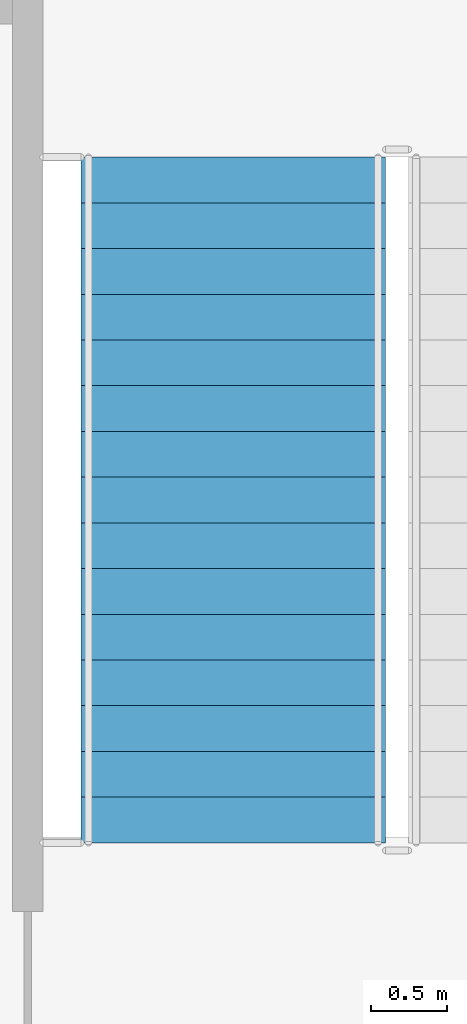
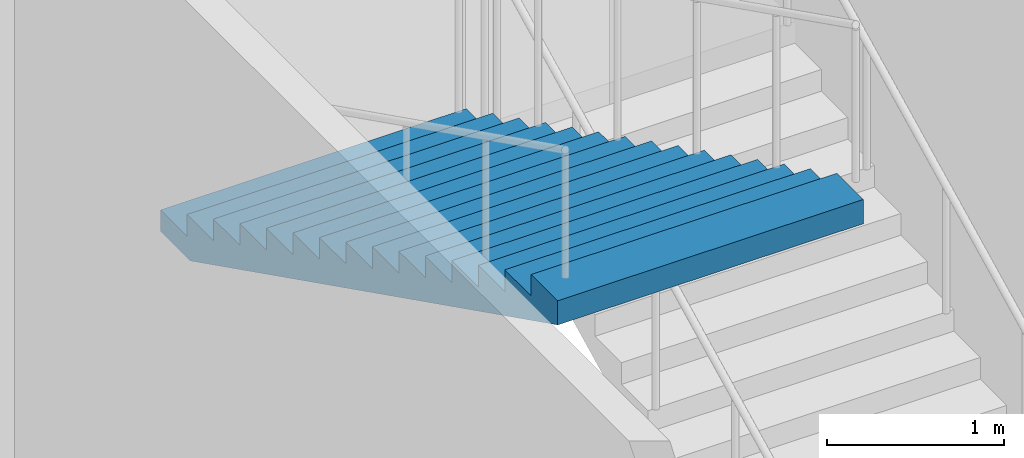
# One storey, part 44 of 91: 1 stair flight, 1 element without a shape of its own.
"""IFC4 building model written with IfcOpenShell, lengths in metres."""

from ifc_helpers import new_model, si_unit, direction, frame, origin, place, context, subcontext, project, spatial, faceted_brep, material, type_object, element, aggregate, save


model = new_model("IFC4")

# Units and contexts
model_context = context("Model", 3, precision=1e-05, world=origin(), true_north=direction((0.0, 1.0)))
body_context = subcontext(model_context, "Body", "Model", "MODEL_VIEW")
ifc_project = project(units=[si_unit("LENGTHUNIT", "METRE"), si_unit("AREAUNIT", "SQUARE_METRE"), si_unit("VOLUMEUNIT", "CUBIC_METRE"), si_unit("PLANEANGLEUNIT", "RADIAN"), si_unit("MASSUNIT", "GRAM", prefix="KILO")], contexts=[model_context])

# Site, building, storey
site_placement = place(None, origin())
site = spatial("IfcSite", under=ifc_project, at=site_placement, CompositionType="ELEMENT")
building_placement = place(site_placement, origin())
building = spatial("IfcBuilding", under=site, at=building_placement, Name="Kiln Court Media Centre", CompositionType="ELEMENT")
storey_placement = place(building_placement, frame((0.0, 0.0, 5.39990234375)))
storey = spatial("IfcBuildingStorey", under=building, at=storey_placement, Name="L01", CompositionType="ELEMENT", Elevation=5.39990234375)

# Stair, stair flight
ifc_material_1 = material(Name="Concrete C40/50", Category="concrete")
stair_type = type_object("IfcStairType", Name="Concrete C40/50 dog-leg stair 2000 wide, 150 riser", PredefinedType="HALF_TURN_STAIR", material=ifc_material_1)
stair_placement = place(storey_placement, origin())
stair = element("IfcStair", 1, at=stair_placement, inside=storey, type_object=stair_type, Name="ST-09 L01", PredefinedType="HALF_TURN_STAIR")
ifc_material_2 = material(Name="Concrete C40/50", Category="concrete")
stair_flight_type = type_object("IfcStairFlightType", Name="Concrete C40/50 stair flight 2000 wide, 150 riser, 300 going", PredefinedType="STRAIGHT", material=ifc_material_2)
stair_flight_placement = place(storey_placement, frame((63.85009765625, 32.5, 2.400146484375), z_axis=(0.0, 0.0, 1.0), x_axis=(0.0, -1.0, 0.0)))
stair_flight = element("IfcStairFlight", 2, at=stair_flight_placement, type_object=stair_flight_type, Name="L01-ST-5008 flight 5017", NumberOfRisers=16, NumberOfTreads=15, PredefinedType="STRAIGHT", RiserHeight=0.15, TreadLength=0.3, context=body_context, shape_type="Brep", body=[
    faceted_brep([(0.335205078125, -1.0, 0.0), (4.5, -1.0, 2.08251953125), (4.5, -1.0, 2.25), (4.199951171875, -1.0, 2.25), (4.199951171875, -1.0, 2.10009765625), (3.89990234375, -1.0, 2.10009765625), (3.89990234375, -1.0, 1.949951171875), (3.60009765625, -1.0, 1.949951171875), (3.60009765625, -1.0, 1.800048828125), (3.300048828125, -1.0, 1.800048828125), (3.300048828125, -1.0, 1.64990234375), (3.0, -1.0, 1.64990234375), (3.0, -1.0, 1.5), (2.699951171875, -1.0, 1.5), (2.699951171875, -1.0, 1.35009765625), (2.39990234375, -1.0, 1.35009765625), (2.39990234375, -1.0, 1.199951171875), (2.10009765625, -1.0, 1.199951171875), (2.10009765625, -1.0, 1.050048828125), (1.800048828125, -1.0, 1.050048828125), (1.800048828125, -1.0, 0.89990234375), (1.5, -1.0, 0.89990234375), (1.5, -1.0, 0.75), (1.199951171875, -1.0, 0.75), (1.199951171875, -1.0, 0.60009765625), (0.89990234375, -1.0, 0.60009765625), (0.89990234375, -1.0, 0.449951171875), (0.60009765625, -1.0, 0.449951171875), (0.60009765625, -1.0, 0.300048828125), (0.300048828125, -1.0, 0.300048828125), (0.300048828125, -1.0, 0.14990234375), (0.0, -1.0, 0.14990234375), (0.0, -1.0, 0.0), (0.0, 1.0, 0.0), (0.0, 1.0, 0.14990234375), (0.300048828125, 1.0, 0.14990234375), (0.300048828125, 1.0, 0.300048828125), (0.60009765625, 1.0, 0.300048828125), (0.60009765625, 1.0, 0.449951171875), (0.89990234375, 1.0, 0.449951171875), (0.89990234375, 1.0, 0.60009765625), (1.199951171875, 1.0, 0.60009765625), (1.199951171875, 1.0, 0.75), (1.5, 1.0, 0.75), (1.5, 1.0, 0.89990234375), (1.800048828125, 1.0, 0.89990234375), (1.800048828125, 1.0, 1.050048828125), (2.10009765625, 1.0, 1.050048828125), (2.10009765625, 1.0, 1.199951171875), (2.39990234375, 1.0, 1.199951171875), (2.39990234375, 1.0, 1.35009765625), (2.699951171875, 1.0, 1.35009765625), (2.699951171875, 1.0, 1.5), (3.0, 1.0, 1.5), (3.0, 1.0, 1.64990234375), (3.300048828125, 1.0, 1.64990234375), (3.300048828125, 1.0, 1.800048828125), (3.60009765625, 1.0, 1.800048828125), (3.60009765625, 1.0, 1.949951171875), (3.89990234375, 1.0, 1.949951171875), (3.89990234375, 1.0, 2.10009765625), (4.199951171875, 1.0, 2.10009765625), (4.199951171875, 1.0, 2.25), (4.5, 1.0, 2.25), (4.5, 1.0, 2.08251953125), (0.335205078125, 1.0, 0.0), (4.5, 0.10009765625, 2.08251953125), (0.335205078125, 0.10009765625, 0.0), (4.5, 0.080078125, 2.08251953125), (0.335205078125, 0.080078125, 0.0), (4.5, 0.06005859375, 2.08251953125), (0.335205078125, 0.06005859375, 0.0), (4.5, 0.0400390625, 2.08251953125), (0.335205078125, 0.0400390625, 0.0), (4.5, 0.02001953125, 2.08251953125), (0.335205078125, 0.02001953125, 0.0), (4.5, 0.0, 2.08251953125), (0.335205078125, 0.0, 0.0), (4.5, -0.02001953125, 2.08251953125), (0.335205078125, -0.02001953125, 0.0), (4.5, -0.0400390625, 2.08251953125), (0.335205078125, -0.0400390625, 0.0), (4.5, -0.06005859375, 2.08251953125), (0.335205078125, -0.06005859375, 0.0), (4.5, -0.080078125, 2.08251953125), (0.335205078125, -0.080078125, 0.0), (4.5, -0.10009765625, 2.08251953125), (0.335205078125, -0.10009765625, 0.0), (4.5, 0.10009765625, 2.25), (4.5, 0.080078125, 2.25), (4.5, 0.06005859375, 2.25), (4.5, 0.0400390625, 2.25), (4.5, 0.02001953125, 2.25), (4.5, 0.0, 2.25), (4.5, -0.02001953125, 2.25), (4.5, -0.0400390625, 2.25), (4.5, -0.06005859375, 2.25), (4.5, -0.080078125, 2.25), (4.5, -0.10009765625, 2.25), (4.199951171875, 0.10009765625, 2.25), (4.199951171875, 0.080078125, 2.25), (4.199951171875, 0.06005859375, 2.25), (4.199951171875, 0.0400390625, 2.25), (4.199951171875, 0.02001953125, 2.25), (4.199951171875, 0.0, 2.25), (4.199951171875, -0.02001953125, 2.25), (4.199951171875, -0.0400390625, 2.25), (4.199951171875, -0.06005859375, 2.25), (4.199951171875, -0.080078125, 2.25), (4.199951171875, -0.10009765625, 2.25), (4.199951171875, 0.10009765625, 2.10009765625), (4.199951171875, 0.080078125, 2.10009765625), (4.199951171875, 0.06005859375, 2.10009765625), (4.199951171875, 0.0400390625, 2.10009765625), (4.199951171875, 0.02001953125, 2.10009765625), (4.199951171875, 0.0, 2.10009765625), (4.199951171875, -0.02001953125, 2.10009765625), (4.199951171875, -0.0400390625, 2.10009765625), (4.199951171875, -0.06005859375, 2.10009765625), (4.199951171875, -0.080078125, 2.10009765625), (4.199951171875, -0.10009765625, 2.10009765625), (3.89990234375, 0.10009765625, 2.10009765625), (3.89990234375, 0.080078125, 2.10009765625), (3.89990234375, 0.06005859375, 2.10009765625), (3.89990234375, 0.0400390625, 2.10009765625), (3.89990234375, 0.02001953125, 2.10009765625), (3.89990234375, 0.0, 2.10009765625), (3.89990234375, -0.02001953125, 2.10009765625), (3.89990234375, -0.0400390625, 2.10009765625), (3.89990234375, -0.06005859375, 2.10009765625), (3.89990234375, -0.080078125, 2.10009765625), (3.89990234375, -0.10009765625, 2.10009765625), (3.89990234375, 0.10009765625, 1.949951171875), (3.89990234375, 0.080078125, 1.949951171875), (3.89990234375, 0.06005859375, 1.949951171875), (3.89990234375, 0.0400390625, 1.949951171875), (3.89990234375, 0.02001953125, 1.949951171875), (3.89990234375, 0.0, 1.949951171875), (3.89990234375, -0.02001953125, 1.949951171875), (3.89990234375, -0.0400390625, 1.949951171875), (3.89990234375, -0.06005859375, 1.949951171875), (3.89990234375, -0.080078125, 1.949951171875), (3.89990234375, -0.10009765625, 1.949951171875), (3.60009765625, 0.10009765625, 1.949951171875), (3.60009765625, 0.080078125, 1.949951171875), (3.60009765625, 0.06005859375, 1.949951171875), (3.60009765625, 0.0400390625, 1.949951171875), (3.60009765625, 0.02001953125, 1.949951171875), (3.60009765625, 0.0, 1.949951171875), (3.60009765625, -0.02001953125, 1.949951171875), (3.60009765625, -0.0400390625, 1.949951171875), (3.60009765625, -0.06005859375, 1.949951171875), (3.60009765625, -0.080078125, 1.949951171875), (3.60009765625, -0.10009765625, 1.949951171875), (3.60009765625, 0.10009765625, 1.800048828125), (3.60009765625, 0.080078125, 1.800048828125), (3.60009765625, 0.06005859375, 1.800048828125), (3.60009765625, 0.0400390625, 1.800048828125), (3.60009765625, 0.02001953125, 1.800048828125), (3.60009765625, 0.0, 1.800048828125), (3.60009765625, -0.02001953125, 1.800048828125), (3.60009765625, -0.0400390625, 1.800048828125), (3.60009765625, -0.06005859375, 1.800048828125), (3.60009765625, -0.080078125, 1.800048828125), (3.60009765625, -0.10009765625, 1.800048828125), (3.300048828125, 0.10009765625, 1.800048828125), (3.300048828125, 0.080078125, 1.800048828125), (3.300048828125, 0.06005859375, 1.800048828125), (3.300048828125, 0.0400390625, 1.800048828125), (3.300048828125, 0.02001953125, 1.800048828125), (3.300048828125, 0.0, 1.800048828125), (3.300048828125, -0.02001953125, 1.800048828125), (3.300048828125, -0.0400390625, 1.800048828125), (3.300048828125, -0.06005859375, 1.800048828125), (3.300048828125, -0.080078125, 1.800048828125), (3.300048828125, -0.10009765625, 1.800048828125), (3.300048828125, 0.10009765625, 1.64990234375), (3.300048828125, 0.080078125, 1.64990234375), (3.300048828125, 0.06005859375, 1.64990234375), (3.300048828125, 0.0400390625, 1.64990234375), (3.300048828125, 0.02001953125, 1.64990234375), (3.300048828125, 0.0, 1.64990234375), (3.300048828125, -0.02001953125, 1.64990234375), (3.300048828125, -0.0400390625, 1.64990234375), (3.300048828125, -0.06005859375, 1.64990234375), (3.300048828125, -0.080078125, 1.64990234375), (3.300048828125, -0.10009765625, 1.64990234375), (3.0, 0.10009765625, 1.64990234375), (3.0, 0.080078125, 1.64990234375), (3.0, 0.06005859375, 1.64990234375), (3.0, 0.0400390625, 1.64990234375), (3.0, 0.02001953125, 1.64990234375), (3.0, 0.0, 1.64990234375), (3.0, -0.02001953125, 1.64990234375), (3.0, -0.0400390625, 1.64990234375), (3.0, -0.06005859375, 1.64990234375), (3.0, -0.080078125, 1.64990234375), (3.0, -0.10009765625, 1.64990234375), (3.0, 0.10009765625, 1.5), (3.0, 0.080078125, 1.5), (3.0, 0.06005859375, 1.5), (3.0, 0.0400390625, 1.5), (3.0, 0.02001953125, 1.5), (3.0, 0.0, 1.5), (3.0, -0.02001953125, 1.5), (3.0, -0.0400390625, 1.5), (3.0, -0.06005859375, 1.5), (3.0, -0.080078125, 1.5), (3.0, -0.10009765625, 1.5), (2.699951171875, 0.10009765625, 1.5), (2.699951171875, 0.080078125, 1.5), (2.699951171875, 0.06005859375, 1.5), (2.699951171875, 0.0400390625, 1.5), (2.699951171875, 0.02001953125, 1.5), (2.699951171875, 0.0, 1.5), (2.699951171875, -0.02001953125, 1.5), (2.699951171875, -0.0400390625, 1.5), (2.699951171875, -0.06005859375, 1.5), (2.699951171875, -0.080078125, 1.5), (2.699951171875, -0.10009765625, 1.5), (2.699951171875, 0.10009765625, 1.35009765625), (2.699951171875, 0.080078125, 1.35009765625), (2.699951171875, 0.06005859375, 1.35009765625), (2.699951171875, 0.0400390625, 1.35009765625), (2.699951171875, 0.02001953125, 1.35009765625), (2.699951171875, 0.0, 1.35009765625), (2.699951171875, -0.02001953125, 1.35009765625), (2.699951171875, -0.0400390625, 1.35009765625), (2.699951171875, -0.06005859375, 1.35009765625), (2.699951171875, -0.080078125, 1.35009765625), (2.699951171875, -0.10009765625, 1.35009765625), (2.39990234375, 0.10009765625, 1.35009765625), (2.39990234375, 0.080078125, 1.35009765625), (2.39990234375, 0.06005859375, 1.35009765625), (2.39990234375, 0.0400390625, 1.35009765625), (2.39990234375, 0.02001953125, 1.35009765625), (2.39990234375, 0.0, 1.35009765625), (2.39990234375, -0.02001953125, 1.35009765625), (2.39990234375, -0.0400390625, 1.35009765625), (2.39990234375, -0.06005859375, 1.35009765625), (2.39990234375, -0.080078125, 1.35009765625), (2.39990234375, -0.10009765625, 1.35009765625), (2.39990234375, 0.10009765625, 1.199951171875), (2.39990234375, 0.080078125, 1.199951171875), (2.39990234375, 0.06005859375, 1.199951171875), (2.39990234375, 0.0400390625, 1.199951171875), (2.39990234375, 0.02001953125, 1.199951171875), (2.39990234375, 0.0, 1.199951171875), (2.39990234375, -0.02001953125, 1.199951171875), (2.39990234375, -0.0400390625, 1.199951171875), (2.39990234375, -0.06005859375, 1.199951171875), (2.39990234375, -0.080078125, 1.199951171875), (2.39990234375, -0.10009765625, 1.199951171875), (2.10009765625, 0.10009765625, 1.199951171875), (2.10009765625, 0.080078125, 1.199951171875), (2.10009765625, 0.06005859375, 1.199951171875), (2.10009765625, 0.0400390625, 1.199951171875), (2.10009765625, 0.02001953125, 1.199951171875), (2.10009765625, 0.0, 1.199951171875), (2.10009765625, -0.02001953125, 1.199951171875), (2.10009765625, -0.0400390625, 1.199951171875), (2.10009765625, -0.06005859375, 1.199951171875), (2.10009765625, -0.080078125, 1.199951171875), (2.10009765625, -0.10009765625, 1.199951171875), (2.10009765625, 0.10009765625, 1.050048828125), (2.10009765625, 0.080078125, 1.050048828125), (2.10009765625, 0.06005859375, 1.050048828125), (2.10009765625, 0.0400390625, 1.050048828125), (2.10009765625, 0.02001953125, 1.050048828125), (2.10009765625, 0.0, 1.050048828125), (2.10009765625, -0.02001953125, 1.050048828125), (2.10009765625, -0.0400390625, 1.050048828125), (2.10009765625, -0.06005859375, 1.050048828125), (2.10009765625, -0.080078125, 1.050048828125), (2.10009765625, -0.10009765625, 1.050048828125), (1.800048828125, 0.10009765625, 1.050048828125), (1.800048828125, 0.080078125, 1.050048828125), (1.800048828125, 0.06005859375, 1.050048828125), (1.800048828125, 0.0400390625, 1.050048828125), (1.800048828125, 0.02001953125, 1.050048828125), (1.800048828125, 0.0, 1.050048828125), (1.800048828125, -0.02001953125, 1.050048828125), (1.800048828125, -0.0400390625, 1.050048828125), (1.800048828125, -0.06005859375, 1.050048828125), (1.800048828125, -0.080078125, 1.050048828125), (1.800048828125, -0.10009765625, 1.050048828125), (1.800048828125, 0.10009765625, 0.89990234375), (1.800048828125, 0.080078125, 0.89990234375), (1.800048828125, 0.06005859375, 0.89990234375), (1.800048828125, 0.0400390625, 0.89990234375), (1.800048828125, 0.02001953125, 0.89990234375), (1.800048828125, 0.0, 0.89990234375), (1.800048828125, -0.02001953125, 0.89990234375), (1.800048828125, -0.0400390625, 0.89990234375), (1.800048828125, -0.06005859375, 0.89990234375), (1.800048828125, -0.080078125, 0.89990234375), (1.800048828125, -0.10009765625, 0.89990234375), (1.5, 0.10009765625, 0.89990234375), (1.5, 0.080078125, 0.89990234375), (1.5, 0.06005859375, 0.89990234375), (1.5, 0.0400390625, 0.89990234375), (1.5, 0.02001953125, 0.89990234375), (1.5, 0.0, 0.89990234375), (1.5, -0.02001953125, 0.89990234375), (1.5, -0.0400390625, 0.89990234375), (1.5, -0.06005859375, 0.89990234375), (1.5, -0.080078125, 0.89990234375), (1.5, -0.10009765625, 0.89990234375), (1.5, 0.10009765625, 0.75), (1.5, 0.080078125, 0.75), (1.5, 0.06005859375, 0.75), (1.5, 0.0400390625, 0.75), (1.5, 0.02001953125, 0.75), (1.5, 0.0, 0.75), (1.5, -0.02001953125, 0.75), (1.5, -0.0400390625, 0.75), (1.5, -0.06005859375, 0.75), (1.5, -0.080078125, 0.75), (1.5, -0.10009765625, 0.75), (1.199951171875, 0.10009765625, 0.75), (1.199951171875, 0.080078125, 0.75), (1.199951171875, 0.06005859375, 0.75), (1.199951171875, 0.0400390625, 0.75), (1.199951171875, 0.02001953125, 0.75), (1.199951171875, 0.0, 0.75), (1.199951171875, -0.02001953125, 0.75), (1.199951171875, -0.0400390625, 0.75), (1.199951171875, -0.06005859375, 0.75), (1.199951171875, -0.080078125, 0.75), (1.199951171875, -0.10009765625, 0.75), (1.199951171875, 0.10009765625, 0.60009765625), (1.199951171875, 0.080078125, 0.60009765625), (1.199951171875, 0.06005859375, 0.60009765625), (1.199951171875, 0.0400390625, 0.60009765625), (1.199951171875, 0.02001953125, 0.60009765625), (1.199951171875, 0.0, 0.60009765625), (1.199951171875, -0.02001953125, 0.60009765625), (1.199951171875, -0.0400390625, 0.60009765625), (1.199951171875, -0.06005859375, 0.60009765625), (1.199951171875, -0.080078125, 0.60009765625), (1.199951171875, -0.10009765625, 0.60009765625), (0.89990234375, 0.10009765625, 0.60009765625), (0.89990234375, 0.080078125, 0.60009765625), (0.89990234375, 0.06005859375, 0.60009765625), (0.89990234375, 0.0400390625, 0.60009765625), (0.89990234375, 0.02001953125, 0.60009765625), (0.89990234375, 0.0, 0.60009765625), (0.89990234375, -0.02001953125, 0.60009765625), (0.89990234375, -0.0400390625, 0.60009765625), (0.89990234375, -0.06005859375, 0.60009765625), (0.89990234375, -0.080078125, 0.60009765625), (0.89990234375, -0.10009765625, 0.60009765625), (0.89990234375, 0.10009765625, 0.449951171875), (0.89990234375, 0.080078125, 0.449951171875), (0.89990234375, 0.06005859375, 0.449951171875), (0.89990234375, 0.0400390625, 0.449951171875), (0.89990234375, 0.02001953125, 0.449951171875), (0.89990234375, 0.0, 0.449951171875), (0.89990234375, -0.02001953125, 0.449951171875), (0.89990234375, -0.0400390625, 0.449951171875), (0.89990234375, -0.06005859375, 0.449951171875), (0.89990234375, -0.080078125, 0.449951171875), (0.89990234375, -0.10009765625, 0.449951171875), (0.60009765625, 0.10009765625, 0.449951171875), (0.60009765625, 0.080078125, 0.449951171875), (0.60009765625, 0.06005859375, 0.449951171875), (0.60009765625, 0.0400390625, 0.449951171875), (0.60009765625, 0.02001953125, 0.449951171875), (0.60009765625, 0.0, 0.449951171875), (0.60009765625, -0.02001953125, 0.449951171875), (0.60009765625, -0.0400390625, 0.449951171875), (0.60009765625, -0.06005859375, 0.449951171875), (0.60009765625, -0.080078125, 0.449951171875), (0.60009765625, -0.10009765625, 0.449951171875), (0.60009765625, 0.10009765625, 0.300048828125), (0.60009765625, 0.080078125, 0.300048828125), (0.60009765625, 0.06005859375, 0.300048828125), (0.60009765625, 0.0400390625, 0.300048828125), (0.60009765625, 0.02001953125, 0.300048828125), (0.60009765625, 0.0, 0.300048828125), (0.60009765625, -0.02001953125, 0.300048828125), (0.60009765625, -0.0400390625, 0.300048828125), (0.60009765625, -0.06005859375, 0.300048828125), (0.60009765625, -0.080078125, 0.300048828125), (0.60009765625, -0.10009765625, 0.300048828125), (0.300048828125, 0.10009765625, 0.300048828125), (0.300048828125, 0.080078125, 0.300048828125), (0.300048828125, 0.06005859375, 0.300048828125), (0.300048828125, 0.0400390625, 0.300048828125), (0.300048828125, 0.02001953125, 0.300048828125), (0.300048828125, 0.0, 0.300048828125), (0.300048828125, -0.02001953125, 0.300048828125), (0.300048828125, -0.0400390625, 0.300048828125), (0.300048828125, -0.06005859375, 0.300048828125), (0.300048828125, -0.080078125, 0.300048828125), (0.300048828125, -0.10009765625, 0.300048828125), (0.300048828125, 0.10009765625, 0.14990234375), (0.300048828125, 0.080078125, 0.14990234375), (0.300048828125, 0.06005859375, 0.14990234375), (0.300048828125, 0.0400390625, 0.14990234375), (0.300048828125, 0.02001953125, 0.14990234375), (0.300048828125, 0.0, 0.14990234375), (0.300048828125, -0.02001953125, 0.14990234375), (0.300048828125, -0.0400390625, 0.14990234375), (0.300048828125, -0.06005859375, 0.14990234375), (0.300048828125, -0.080078125, 0.14990234375), (0.300048828125, -0.10009765625, 0.14990234375), (0.0, 0.10009765625, 0.14990234375), (0.0, 0.080078125, 0.14990234375), (0.0, 0.06005859375, 0.14990234375), (0.0, 0.0400390625, 0.14990234375), (0.0, 0.02001953125, 0.14990234375), (0.0, 0.0, 0.14990234375), (0.0, -0.02001953125, 0.14990234375), (0.0, -0.0400390625, 0.14990234375), (0.0, -0.06005859375, 0.14990234375), (0.0, -0.080078125, 0.14990234375), (0.0, -0.10009765625, 0.14990234375), (0.0, 0.10009765625, 0.0), (0.0, 0.080078125, 0.0), (0.0, 0.06005859375, 0.0), (0.0, 0.0400390625, 0.0), (0.0, 0.02001953125, 0.0), (0.0, 0.0, 0.0), (0.0, -0.02001953125, 0.0), (0.0, -0.0400390625, 0.0), (0.0, -0.06005859375, 0.0), (0.0, -0.080078125, 0.0), (0.0, -0.10009765625, 0.0)], [[[0, 1, 2, 3, 4, 5, 6, 7, 8, 9, 10, 11, 12, 13, 14, 15, 16, 17, 18, 19, 20, 21, 22, 23, 24, 25, 26, 27, 28, 29, 30, 31, 32]], [[33, 34, 35, 36, 37, 38, 39, 40, 41, 42, 43, 44, 45, 46, 47, 48, 49, 50, 51, 52, 53, 54, 55, 56, 57, 58, 59, 60, 61, 62, 63, 64, 65]], [[65, 64, 66, 67]], [[67, 66, 68, 69]], [[69, 68, 70, 71]], [[71, 70, 72, 73]], [[73, 72, 74, 75]], [[75, 74, 76, 77]], [[77, 76, 78, 79]], [[79, 78, 80, 81]], [[81, 80, 82, 83]], [[83, 82, 84, 85]], [[85, 84, 86, 87]], [[87, 86, 1, 0]], [[64, 63, 88, 66]], [[66, 88, 89, 68]], [[68, 89, 90, 70]], [[70, 90, 91, 72]], [[72, 91, 92, 74]], [[74, 92, 93, 76]], [[76, 93, 94, 78]], [[78, 94, 95, 80]], [[80, 95, 96, 82]], [[82, 96, 97, 84]], [[84, 97, 98, 86]], [[86, 98, 2, 1]], [[63, 62, 99, 88]], [[88, 99, 100, 89]], [[89, 100, 101, 90]], [[90, 101, 102, 91]], [[91, 102, 103, 92]], [[92, 103, 104, 93]], [[93, 104, 105, 94]], [[94, 105, 106, 95]], [[95, 106, 107, 96]], [[96, 107, 108, 97]], [[97, 108, 109, 98]], [[98, 109, 3, 2]], [[62, 61, 110, 99]], [[99, 110, 111, 100]], [[100, 111, 112, 101]], [[101, 112, 113, 102]], [[102, 113, 114, 103]], [[103, 114, 115, 104]], [[104, 115, 116, 105]], [[105, 116, 117, 106]], [[106, 117, 118, 107]], [[107, 118, 119, 108]], [[108, 119, 120, 109]], [[109, 120, 4, 3]], [[61, 60, 121, 110]], [[110, 121, 122, 111]], [[111, 122, 123, 112]], [[112, 123, 124, 113]], [[113, 124, 125, 114]], [[114, 125, 126, 115]], [[115, 126, 127, 116]], [[116, 127, 128, 117]], [[117, 128, 129, 118]], [[118, 129, 130, 119]], [[119, 130, 131, 120]], [[120, 131, 5, 4]], [[60, 59, 132, 121]], [[121, 132, 133, 122]], [[122, 133, 134, 123]], [[123, 134, 135, 124]], [[124, 135, 136, 125]], [[125, 136, 137, 126]], [[126, 137, 138, 127]], [[127, 138, 139, 128]], [[128, 139, 140, 129]], [[129, 140, 141, 130]], [[130, 141, 142, 131]], [[131, 142, 6, 5]], [[59, 58, 143, 132]], [[132, 143, 144, 133]], [[133, 144, 145, 134]], [[134, 145, 146, 135]], [[135, 146, 147, 136]], [[136, 147, 148, 137]], [[137, 148, 149, 138]], [[138, 149, 150, 139]], [[139, 150, 151, 140]], [[140, 151, 152, 141]], [[141, 152, 153, 142]], [[142, 153, 7, 6]], [[58, 57, 154, 143]], [[143, 154, 155, 144]], [[144, 155, 156, 145]], [[145, 156, 157, 146]], [[146, 157, 158, 147]], [[147, 158, 159, 148]], [[148, 159, 160, 149]], [[149, 160, 161, 150]], [[150, 161, 162, 151]], [[151, 162, 163, 152]], [[152, 163, 164, 153]], [[153, 164, 8, 7]], [[57, 56, 165, 154]], [[154, 165, 166, 155]], [[155, 166, 167, 156]], [[156, 167, 168, 157]], [[157, 168, 169, 158]], [[158, 169, 170, 159]], [[159, 170, 171, 160]], [[160, 171, 172, 161]], [[161, 172, 173, 162]], [[162, 173, 174, 163]], [[163, 174, 175, 164]], [[164, 175, 9, 8]], [[56, 55, 176, 165]], [[165, 176, 177, 166]], [[166, 177, 178, 167]], [[167, 178, 179, 168]], [[168, 179, 180, 169]], [[169, 180, 181, 170]], [[170, 181, 182, 171]], [[171, 182, 183, 172]], [[172, 183, 184, 173]], [[173, 184, 185, 174]], [[174, 185, 186, 175]], [[175, 186, 10, 9]], [[55, 54, 187, 176]], [[176, 187, 188, 177]], [[177, 188, 189, 178]], [[178, 189, 190, 179]], [[179, 190, 191, 180]], [[180, 191, 192, 181]], [[181, 192, 193, 182]], [[182, 193, 194, 183]], [[183, 194, 195, 184]], [[184, 195, 196, 185]], [[185, 196, 197, 186]], [[186, 197, 11, 10]], [[54, 53, 198, 187]], [[187, 198, 199, 188]], [[188, 199, 200, 189]], [[189, 200, 201, 190]], [[190, 201, 202, 191]], [[191, 202, 203, 192]], [[192, 203, 204, 193]], [[193, 204, 205, 194]], [[194, 205, 206, 195]], [[195, 206, 207, 196]], [[196, 207, 208, 197]], [[197, 208, 12, 11]], [[53, 52, 209, 198]], [[198, 209, 210, 199]], [[199, 210, 211, 200]], [[200, 211, 212, 201]], [[201, 212, 213, 202]], [[202, 213, 214, 203]], [[203, 214, 215, 204]], [[204, 215, 216, 205]], [[205, 216, 217, 206]], [[206, 217, 218, 207]], [[207, 218, 219, 208]], [[208, 219, 13, 12]], [[52, 51, 220, 209]], [[209, 220, 221, 210]], [[210, 221, 222, 211]], [[211, 222, 223, 212]], [[212, 223, 224, 213]], [[213, 224, 225, 214]], [[214, 225, 226, 215]], [[215, 226, 227, 216]], [[216, 227, 228, 217]], [[217, 228, 229, 218]], [[218, 229, 230, 219]], [[219, 230, 14, 13]], [[51, 50, 231, 220]], [[220, 231, 232, 221]], [[221, 232, 233, 222]], [[222, 233, 234, 223]], [[223, 234, 235, 224]], [[224, 235, 236, 225]], [[225, 236, 237, 226]], [[226, 237, 238, 227]], [[227, 238, 239, 228]], [[228, 239, 240, 229]], [[229, 240, 241, 230]], [[230, 241, 15, 14]], [[50, 49, 242, 231]], [[231, 242, 243, 232]], [[232, 243, 244, 233]], [[233, 244, 245, 234]], [[234, 245, 246, 235]], [[235, 246, 247, 236]], [[236, 247, 248, 237]], [[237, 248, 249, 238]], [[238, 249, 250, 239]], [[239, 250, 251, 240]], [[240, 251, 252, 241]], [[241, 252, 16, 15]], [[49, 48, 253, 242]], [[242, 253, 254, 243]], [[243, 254, 255, 244]], [[244, 255, 256, 245]], [[245, 256, 257, 246]], [[246, 257, 258, 247]], [[247, 258, 259, 248]], [[248, 259, 260, 249]], [[249, 260, 261, 250]], [[250, 261, 262, 251]], [[251, 262, 263, 252]], [[252, 263, 17, 16]], [[48, 47, 264, 253]], [[253, 264, 265, 254]], [[254, 265, 266, 255]], [[255, 266, 267, 256]], [[256, 267, 268, 257]], [[257, 268, 269, 258]], [[258, 269, 270, 259]], [[259, 270, 271, 260]], [[260, 271, 272, 261]], [[261, 272, 273, 262]], [[262, 273, 274, 263]], [[263, 274, 18, 17]], [[47, 46, 275, 264]], [[264, 275, 276, 265]], [[265, 276, 277, 266]], [[266, 277, 278, 267]], [[267, 278, 279, 268]], [[268, 279, 280, 269]], [[269, 280, 281, 270]], [[270, 281, 282, 271]], [[271, 282, 283, 272]], [[272, 283, 284, 273]], [[273, 284, 285, 274]], [[274, 285, 19, 18]], [[46, 45, 286, 275]], [[275, 286, 287, 276]], [[276, 287, 288, 277]], [[277, 288, 289, 278]], [[278, 289, 290, 279]], [[279, 290, 291, 280]], [[280, 291, 292, 281]], [[281, 292, 293, 282]], [[282, 293, 294, 283]], [[283, 294, 295, 284]], [[284, 295, 296, 285]], [[285, 296, 20, 19]], [[45, 44, 297, 286]], [[286, 297, 298, 287]], [[287, 298, 299, 288]], [[288, 299, 300, 289]], [[289, 300, 301, 290]], [[290, 301, 302, 291]], [[291, 302, 303, 292]], [[292, 303, 304, 293]], [[293, 304, 305, 294]], [[294, 305, 306, 295]], [[295, 306, 307, 296]], [[296, 307, 21, 20]], [[44, 43, 308, 297]], [[297, 308, 309, 298]], [[298, 309, 310, 299]], [[299, 310, 311, 300]], [[300, 311, 312, 301]], [[301, 312, 313, 302]], [[302, 313, 314, 303]], [[303, 314, 315, 304]], [[304, 315, 316, 305]], [[305, 316, 317, 306]], [[306, 317, 318, 307]], [[307, 318, 22, 21]], [[43, 42, 319, 308]], [[308, 319, 320, 309]], [[309, 320, 321, 310]], [[310, 321, 322, 311]], [[311, 322, 323, 312]], [[312, 323, 324, 313]], [[313, 324, 325, 314]], [[314, 325, 326, 315]], [[315, 326, 327, 316]], [[316, 327, 328, 317]], [[317, 328, 329, 318]], [[318, 329, 23, 22]], [[42, 41, 330, 319]], [[319, 330, 331, 320]], [[320, 331, 332, 321]], [[321, 332, 333, 322]], [[322, 333, 334, 323]], [[323, 334, 335, 324]], [[324, 335, 336, 325]], [[325, 336, 337, 326]], [[326, 337, 338, 327]], [[327, 338, 339, 328]], [[328, 339, 340, 329]], [[329, 340, 24, 23]], [[41, 40, 341, 330]], [[330, 341, 342, 331]], [[331, 342, 343, 332]], [[332, 343, 344, 333]], [[333, 344, 345, 334]], [[334, 345, 346, 335]], [[335, 346, 347, 336]], [[336, 347, 348, 337]], [[337, 348, 349, 338]], [[338, 349, 350, 339]], [[339, 350, 351, 340]], [[340, 351, 25, 24]], [[40, 39, 352, 341]], [[341, 352, 353, 342]], [[342, 353, 354, 343]], [[343, 354, 355, 344]], [[344, 355, 356, 345]], [[345, 356, 357, 346]], [[346, 357, 358, 347]], [[347, 358, 359, 348]], [[348, 359, 360, 349]], [[349, 360, 361, 350]], [[350, 361, 362, 351]], [[351, 362, 26, 25]], [[39, 38, 363, 352]], [[352, 363, 364, 353]], [[353, 364, 365, 354]], [[354, 365, 366, 355]], [[355, 366, 367, 356]], [[356, 367, 368, 357]], [[357, 368, 369, 358]], [[358, 369, 370, 359]], [[359, 370, 371, 360]], [[360, 371, 372, 361]], [[361, 372, 373, 362]], [[362, 373, 27, 26]], [[38, 37, 374, 363]], [[363, 374, 375, 364]], [[364, 375, 376, 365]], [[365, 376, 377, 366]], [[366, 377, 378, 367]], [[367, 378, 379, 368]], [[368, 379, 380, 369]], [[369, 380, 381, 370]], [[370, 381, 382, 371]], [[371, 382, 383, 372]], [[372, 383, 384, 373]], [[373, 384, 28, 27]], [[37, 36, 385, 374]], [[374, 385, 386, 375]], [[375, 386, 387, 376]], [[376, 387, 388, 377]], [[377, 388, 389, 378]], [[378, 389, 390, 379]], [[379, 390, 391, 380]], [[380, 391, 392, 381]], [[381, 392, 393, 382]], [[382, 393, 394, 383]], [[383, 394, 395, 384]], [[384, 395, 29, 28]], [[36, 35, 396, 385]], [[385, 396, 397, 386]], [[386, 397, 398, 387]], [[387, 398, 399, 388]], [[388, 399, 400, 389]], [[389, 400, 401, 390]], [[390, 401, 402, 391]], [[391, 402, 403, 392]], [[392, 403, 404, 393]], [[393, 404, 405, 394]], [[394, 405, 406, 395]], [[395, 406, 30, 29]], [[35, 34, 407, 396]], [[396, 407, 408, 397]], [[397, 408, 409, 398]], [[398, 409, 410, 399]], [[399, 410, 411, 400]], [[400, 411, 412, 401]], [[401, 412, 413, 402]], [[402, 413, 414, 403]], [[403, 414, 415, 404]], [[404, 415, 416, 405]], [[405, 416, 417, 406]], [[406, 417, 31, 30]], [[34, 33, 418, 407]], [[407, 418, 419, 408]], [[408, 419, 420, 409]], [[409, 420, 421, 410]], [[410, 421, 422, 411]], [[411, 422, 423, 412]], [[412, 423, 424, 413]], [[413, 424, 425, 414]], [[414, 425, 426, 415]], [[415, 426, 427, 416]], [[416, 427, 428, 417]], [[417, 428, 32, 31]], [[33, 65, 67, 418]], [[418, 67, 69, 419]], [[419, 69, 71, 420]], [[420, 71, 73, 421]], [[421, 73, 75, 422]], [[422, 75, 77, 423]], [[423, 77, 79, 424]], [[424, 79, 81, 425]], [[425, 81, 83, 426]], [[426, 83, 85, 427]], [[427, 85, 87, 428]], [[428, 87, 0, 32]]]),
])
aggregate(stair, [stair_flight])

save(model, "model.ifc")
